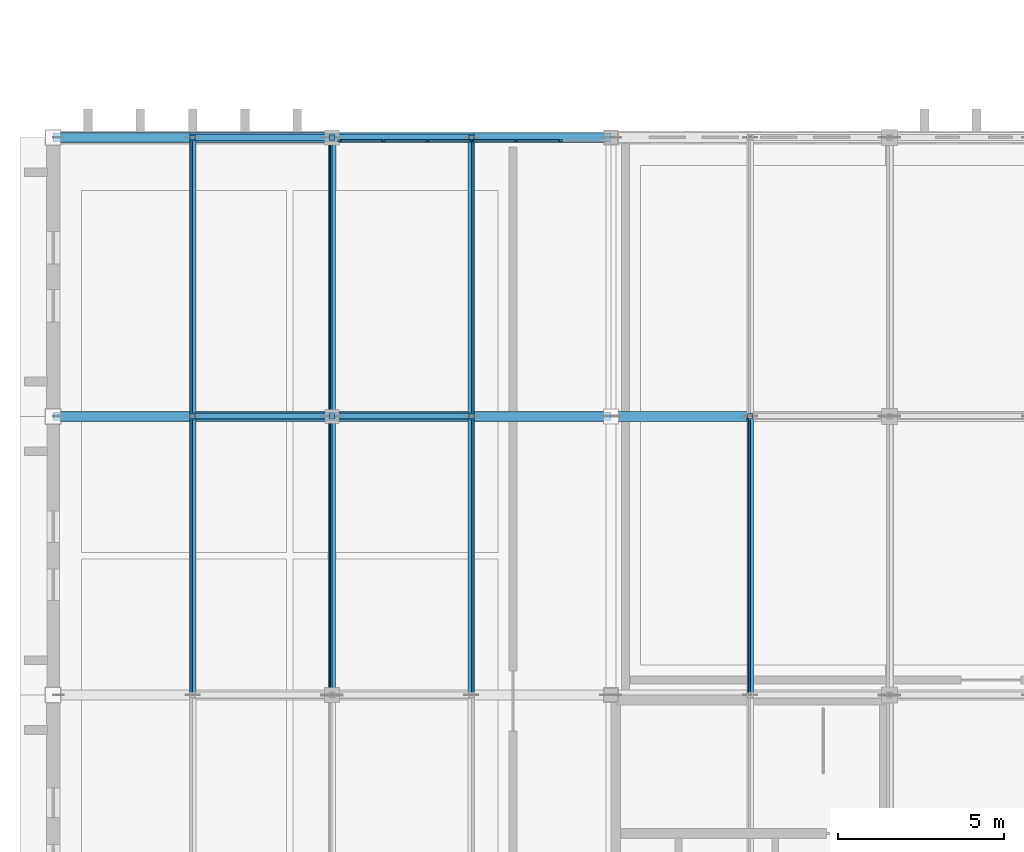
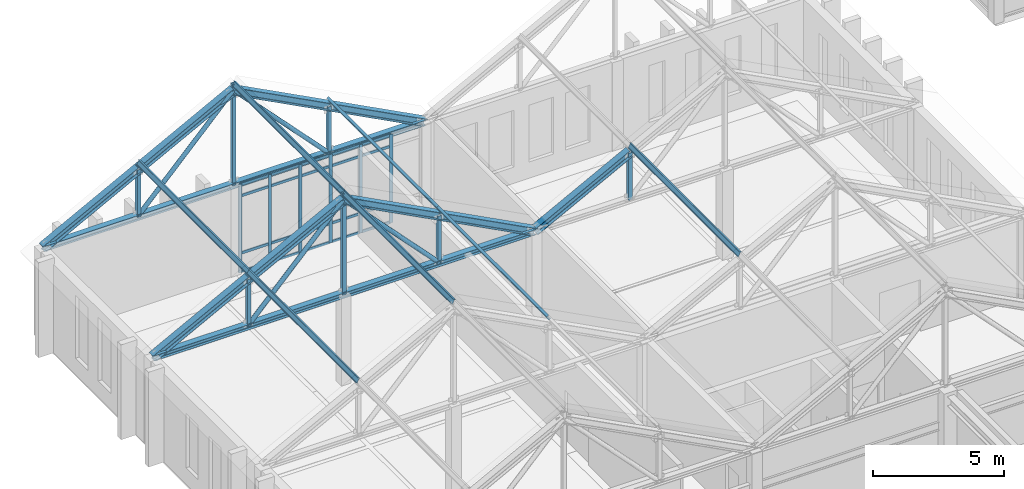
# One storey, part 83 of 192: 55 members, 1 element without a shape of its own.
"""IFC4 building model written with IfcOpenShell, lengths in metres."""

from ifc_helpers import new_model, si_unit, direction, frame, origin, origin_2d, place, context, subcontext, project, spatial, rectangle, hollow_rectangle, hollow_circle, i_section, extrude, material, layer, layer_set, material_profile, profile_set, type_object, element, aggregate, save


model = new_model("IFC4")

# Units and contexts
model_context = context("Model", 3, precision=1e-05, world=origin(), true_north=direction((0.0, 1.0)))
body_context = subcontext(model_context, "Body", "Model", "MODEL_VIEW")
ifc_project = project(units=[si_unit("LENGTHUNIT", "METRE"), si_unit("AREAUNIT", "SQUARE_METRE"), si_unit("VOLUMEUNIT", "CUBIC_METRE"), si_unit("PLANEANGLEUNIT", "RADIAN"), si_unit("MASSUNIT", "GRAM", prefix="KILO")], contexts=[model_context])

# Site, building, storey
site_placement = place(None, origin())
site = spatial("IfcSite", under=ifc_project, at=site_placement, CompositionType="ELEMENT")
building_placement = place(site_placement, origin())
building = spatial("IfcBuilding", under=site, at=building_placement, Name="Kveldsbrygga Polytechnic", CompositionType="ELEMENT")
storey_placement = place(building_placement, frame((0.0, 0.0, 5.43994140625)))
storey = spatial("IfcBuildingStorey", under=building, at=storey_placement, Name="L01", CompositionType="ELEMENT", Elevation=5.43994140625)

# Curtain wall, members
ifc_material_1 = material(Name="Anodised aluminium AW-6060", Category="aluminium")
ifc_layer = layer(ifc_material_1, 0.179931640625)
ifc_layer_set = layer_set([ifc_layer], Name="Anodised aluminium AW-6060")
curtain_wall_type = type_object("IfcCurtainWallType", Name="CW-CONC-A", PredefinedType="USERDEFINED", material=ifc_layer_set)
curtain_wall_placement = place(storey_placement, origin())
curtain_wall = element("IfcCurtainWall", 1, at=curtain_wall_placement, inside=storey, type_object=curtain_wall_type, Name="Curtain Wall CW-L01-X-01-13", ObjectType="UNITISED CURTAIN WALL", PredefinedType="USERDEFINED")
ifc_material_profile_1 = material_profile(ifc_material_1, rectangle(XDim=0.06005859375, YDim=0.139892578125, at=origin_2d()), Name="ALU 60x140")
ifc_profile_set_1 = profile_set([ifc_material_profile_1], Name="Anodised aluminium AW-6060")
member_type_1 = type_object("IfcMemberType", Name="CW-MUL-140", PredefinedType="MULLION", material=ifc_profile_set_1)
member_1_placement = place(storey_placement, frame((8.639892578125, 109.10009765625, 0.0), z_axis=(0.0, 0.0, 1.0), x_axis=(0.0, 1.0, 0.0)))
member_1 = element("IfcMember", 2, at=member_1_placement, type_object=member_type_1, Name="CW-01 mullion 1", PredefinedType="MULLION", context=body_context, shape_type="SweptSolid", body=[
    extrude(rectangle(XDim=0.06005859375, YDim=0.139892578125, at=origin_2d()), origin(), (0.0, 0.0, 1.0), 4.1201171875),
])
member_2_placement = place(storey_placement, frame((9.944091796875, 109.10009765625, 0.0), z_axis=(0.0, 0.0, 1.0), x_axis=(0.0, 1.0, 0.0)))
member_2 = element("IfcMember", 3, at=member_2_placement, type_object=member_type_1, Name="CW-01 mullion 2", PredefinedType="MULLION", context=body_context, shape_type="SweptSolid", body=[
    extrude(rectangle(XDim=0.06005859375, YDim=0.139892578125, at=origin_2d()), origin(), (0.0, 0.0, 1.0), 4.1201171875),
])
member_3_placement = place(storey_placement, frame((11.2783203125, 109.10009765625, 0.0), z_axis=(0.0, 0.0, 1.0), x_axis=(0.0, 1.0, 0.0)))
member_3 = element("IfcMember", 4, at=member_3_placement, type_object=member_type_1, Name="CW-01 mullion 3", PredefinedType="MULLION", context=body_context, shape_type="SweptSolid", body=[
    extrude(rectangle(XDim=0.06005859375, YDim=0.139892578125, at=origin_2d()), origin(), (0.0, 0.0, 1.0), 4.1201171875),
])
member_4_placement = place(storey_placement, frame((12.612548828125, 109.10009765625, 0.0), z_axis=(0.0, 0.0, 1.0), x_axis=(0.0, 1.0, 0.0)))
member_4 = element("IfcMember", 5, at=member_4_placement, type_object=member_type_1, Name="CW-01 mullion 4", PredefinedType="MULLION", context=body_context, shape_type="SweptSolid", body=[
    extrude(rectangle(XDim=0.06005859375, YDim=0.139892578125, at=origin_2d()), origin(), (0.0, 0.0, 1.0), 4.1201171875),
])
member_5_placement = place(storey_placement, frame((13.94677734375, 109.10009765625, 0.0), z_axis=(0.0, 0.0, 1.0), x_axis=(0.0, 1.0, 0.0)))
member_5 = element("IfcMember", 6, at=member_5_placement, type_object=member_type_1, Name="CW-01 mullion 5", PredefinedType="MULLION", context=body_context, shape_type="SweptSolid", body=[
    extrude(rectangle(XDim=0.06005859375, YDim=0.139892578125, at=origin_2d()), origin(), (0.0, 0.0, 1.0), 4.1201171875),
])
member_6_placement = place(storey_placement, frame((15.28076171875, 109.10009765625, 0.0), z_axis=(0.0, 0.0, 1.0), x_axis=(0.0, 1.0, 0.0)))
member_6 = element("IfcMember", 7, at=member_6_placement, type_object=member_type_1, Name="CW-01 mullion 6", PredefinedType="MULLION", context=body_context, shape_type="SweptSolid", body=[
    extrude(rectangle(XDim=0.06005859375, YDim=0.139892578125, at=origin_2d()), origin(), (0.0, 0.0, 1.0), 4.1201171875),
])
ifc_material_profile_2 = material_profile(ifc_material_1, rectangle(XDim=0.06005859375, YDim=0.1201171875, at=origin_2d()), Name="ALU 60x120")
ifc_profile_set_2 = profile_set([ifc_material_profile_2], Name="Anodised aluminium AW-6060")
member_type_2 = type_object("IfcMemberType", Name="CW-TRN-120", PredefinedType="USERDEFINED", material=ifc_profile_set_2)
member_7_placement = place(storey_placement, frame((8.669921875, 109.10009765625, 0.030029296875), z_axis=(1.0, 0.0, 0.0), x_axis=(0.0, 1.0, 0.0)))
member_7 = element("IfcMember", 8, at=member_7_placement, type_object=member_type_2, Name="CW-01 transom 1.1", ObjectType="TRANSOM", PredefinedType="USERDEFINED", context=body_context, shape_type="SweptSolid", body=[
    extrude(rectangle(XDim=0.06005859375, YDim=0.1201171875, at=origin_2d()), origin(), (0.0, 0.0, 1.0), 1.244140625),
])
member_8_placement = place(storey_placement, frame((8.669921875, 109.10009765625, 0.900146484375), z_axis=(1.0, 0.0, 0.0), x_axis=(0.0, 1.0, 0.0)))
member_8 = element("IfcMember", 9, at=member_8_placement, type_object=member_type_2, Name="CW-01 transom 1.2", ObjectType="TRANSOM", PredefinedType="USERDEFINED", context=body_context, shape_type="SweptSolid", body=[
    extrude(rectangle(XDim=0.06005859375, YDim=0.1201171875, at=origin_2d()), origin(), (0.0, 0.0, 1.0), 1.244140625),
])
member_9_placement = place(storey_placement, frame((8.669921875, 109.10009765625, 3.570068359375), z_axis=(1.0, 0.0, 0.0), x_axis=(0.0, 1.0, 0.0)))
member_9 = element("IfcMember", 10, at=member_9_placement, type_object=member_type_2, Name="CW-01 transom 1.3", ObjectType="TRANSOM", PredefinedType="USERDEFINED", context=body_context, shape_type="SweptSolid", body=[
    extrude(rectangle(XDim=0.06005859375, YDim=0.1201171875, at=origin_2d()), origin(), (0.0, 0.0, 1.0), 1.244140625),
])
member_10_placement = place(storey_placement, frame((8.669921875, 109.10009765625, 4.090087890625), z_axis=(1.0, 0.0, 0.0), x_axis=(0.0, 1.0, 0.0)))
member_10 = element("IfcMember", 11, at=member_10_placement, type_object=member_type_2, Name="CW-01 transom 1.4", ObjectType="TRANSOM", PredefinedType="USERDEFINED", context=body_context, shape_type="SweptSolid", body=[
    extrude(rectangle(XDim=0.06005859375, YDim=0.1201171875, at=origin_2d()), origin(), (0.0, 0.0, 1.0), 1.244140625),
])
member_11_placement = place(storey_placement, frame((9.97412109375, 109.10009765625, 0.030029296875), z_axis=(1.0, 0.0, 0.0), x_axis=(0.0, 1.0, 0.0)))
member_11 = element("IfcMember", 12, at=member_11_placement, type_object=member_type_2, Name="CW-01 transom 2.1", ObjectType="TRANSOM", PredefinedType="USERDEFINED", context=body_context, shape_type="SweptSolid", body=[
    extrude(rectangle(XDim=0.06005859375, YDim=0.1201171875, at=origin_2d()), origin(), (0.0, 0.0, 1.0), 1.274169921875),
])
member_12_placement = place(storey_placement, frame((9.97412109375, 109.10009765625, 0.900146484375), z_axis=(1.0, 0.0, 0.0), x_axis=(0.0, 1.0, 0.0)))
member_12 = element("IfcMember", 13, at=member_12_placement, type_object=member_type_2, Name="CW-01 transom 2.2", ObjectType="TRANSOM", PredefinedType="USERDEFINED", context=body_context, shape_type="SweptSolid", body=[
    extrude(rectangle(XDim=0.06005859375, YDim=0.1201171875, at=origin_2d()), origin(), (0.0, 0.0, 1.0), 1.274169921875),
])
member_13_placement = place(storey_placement, frame((9.97412109375, 109.10009765625, 3.570068359375), z_axis=(1.0, 0.0, 0.0), x_axis=(0.0, 1.0, 0.0)))
member_13 = element("IfcMember", 14, at=member_13_placement, type_object=member_type_2, Name="CW-01 transom 2.3", ObjectType="TRANSOM", PredefinedType="USERDEFINED", context=body_context, shape_type="SweptSolid", body=[
    extrude(rectangle(XDim=0.06005859375, YDim=0.1201171875, at=origin_2d()), origin(), (0.0, 0.0, 1.0), 1.274169921875),
])
member_14_placement = place(storey_placement, frame((9.97412109375, 109.10009765625, 4.090087890625), z_axis=(1.0, 0.0, 0.0), x_axis=(0.0, 1.0, 0.0)))
member_14 = element("IfcMember", 15, at=member_14_placement, type_object=member_type_2, Name="CW-01 transom 2.4", ObjectType="TRANSOM", PredefinedType="USERDEFINED", context=body_context, shape_type="SweptSolid", body=[
    extrude(rectangle(XDim=0.06005859375, YDim=0.1201171875, at=origin_2d()), origin(), (0.0, 0.0, 1.0), 1.274169921875),
])
member_15_placement = place(storey_placement, frame((11.308349609375, 109.10009765625, 0.030029296875), z_axis=(1.0, 0.0, 0.0), x_axis=(0.0, 1.0, 0.0)))
member_15 = element("IfcMember", 16, at=member_15_placement, type_object=member_type_2, Name="CW-01 transom 3.1", ObjectType="TRANSOM", PredefinedType="USERDEFINED", context=body_context, shape_type="SweptSolid", body=[
    extrude(rectangle(XDim=0.06005859375, YDim=0.1201171875, at=origin_2d()), origin(), (0.0, 0.0, 1.0), 1.274169921875),
])
member_16_placement = place(storey_placement, frame((11.308349609375, 109.10009765625, 0.900146484375), z_axis=(1.0, 0.0, 0.0), x_axis=(0.0, 1.0, 0.0)))
member_16 = element("IfcMember", 17, at=member_16_placement, type_object=member_type_2, Name="CW-01 transom 3.2", ObjectType="TRANSOM", PredefinedType="USERDEFINED", context=body_context, shape_type="SweptSolid", body=[
    extrude(rectangle(XDim=0.06005859375, YDim=0.1201171875, at=origin_2d()), origin(), (0.0, 0.0, 1.0), 1.274169921875),
])
member_17_placement = place(storey_placement, frame((11.308349609375, 109.10009765625, 3.570068359375), z_axis=(1.0, 0.0, 0.0), x_axis=(0.0, 1.0, 0.0)))
member_17 = element("IfcMember", 18, at=member_17_placement, type_object=member_type_2, Name="CW-01 transom 3.3", ObjectType="TRANSOM", PredefinedType="USERDEFINED", context=body_context, shape_type="SweptSolid", body=[
    extrude(rectangle(XDim=0.06005859375, YDim=0.1201171875, at=origin_2d()), origin(), (0.0, 0.0, 1.0), 1.274169921875),
])
member_18_placement = place(storey_placement, frame((11.308349609375, 109.10009765625, 4.090087890625), z_axis=(1.0, 0.0, 0.0), x_axis=(0.0, 1.0, 0.0)))
member_18 = element("IfcMember", 19, at=member_18_placement, type_object=member_type_2, Name="CW-01 transom 3.4", ObjectType="TRANSOM", PredefinedType="USERDEFINED", context=body_context, shape_type="SweptSolid", body=[
    extrude(rectangle(XDim=0.06005859375, YDim=0.1201171875, at=origin_2d()), origin(), (0.0, 0.0, 1.0), 1.274169921875),
])
member_19_placement = place(storey_placement, frame((12.642578125, 109.10009765625, 0.030029296875), z_axis=(1.0, 0.0, 0.0), x_axis=(0.0, 1.0, 0.0)))
member_19 = element("IfcMember", 20, at=member_19_placement, type_object=member_type_2, Name="CW-01 transom 4.1", ObjectType="TRANSOM", PredefinedType="USERDEFINED", context=body_context, shape_type="SweptSolid", body=[
    extrude(rectangle(XDim=0.06005859375, YDim=0.1201171875, at=origin_2d()), origin(), (0.0, 0.0, 1.0), 1.274169921875),
])
member_20_placement = place(storey_placement, frame((12.642578125, 109.10009765625, 0.900146484375), z_axis=(1.0, 0.0, 0.0), x_axis=(0.0, 1.0, 0.0)))
member_20 = element("IfcMember", 21, at=member_20_placement, type_object=member_type_2, Name="CW-01 transom 4.2", ObjectType="TRANSOM", PredefinedType="USERDEFINED", context=body_context, shape_type="SweptSolid", body=[
    extrude(rectangle(XDim=0.06005859375, YDim=0.1201171875, at=origin_2d()), origin(), (0.0, 0.0, 1.0), 1.274169921875),
])
member_21_placement = place(storey_placement, frame((12.642578125, 109.10009765625, 3.570068359375), z_axis=(1.0, 0.0, 0.0), x_axis=(0.0, 1.0, 0.0)))
member_21 = element("IfcMember", 22, at=member_21_placement, type_object=member_type_2, Name="CW-01 transom 4.3", ObjectType="TRANSOM", PredefinedType="USERDEFINED", context=body_context, shape_type="SweptSolid", body=[
    extrude(rectangle(XDim=0.06005859375, YDim=0.1201171875, at=origin_2d()), origin(), (0.0, 0.0, 1.0), 1.274169921875),
])
member_22_placement = place(storey_placement, frame((12.642578125, 109.10009765625, 4.090087890625), z_axis=(1.0, 0.0, 0.0), x_axis=(0.0, 1.0, 0.0)))
member_22 = element("IfcMember", 23, at=member_22_placement, type_object=member_type_2, Name="CW-01 transom 4.4", ObjectType="TRANSOM", PredefinedType="USERDEFINED", context=body_context, shape_type="SweptSolid", body=[
    extrude(rectangle(XDim=0.06005859375, YDim=0.1201171875, at=origin_2d()), origin(), (0.0, 0.0, 1.0), 1.274169921875),
])
member_23_placement = place(storey_placement, frame((13.9765625, 109.10009765625, 0.030029296875), z_axis=(1.0, 0.0, 0.0), x_axis=(0.0, 1.0, 0.0)))
member_23 = element("IfcMember", 24, at=member_23_placement, type_object=member_type_2, Name="CW-01 transom 5.1", ObjectType="TRANSOM", PredefinedType="USERDEFINED", context=body_context, shape_type="SweptSolid", body=[
    extrude(rectangle(XDim=0.06005859375, YDim=0.1201171875, at=origin_2d()), origin(), (0.0, 0.0, 1.0), 1.274169921875),
])
member_24_placement = place(storey_placement, frame((13.9765625, 109.10009765625, 0.900146484375), z_axis=(1.0, 0.0, 0.0), x_axis=(0.0, 1.0, 0.0)))
member_24 = element("IfcMember", 25, at=member_24_placement, type_object=member_type_2, Name="CW-01 transom 5.2", ObjectType="TRANSOM", PredefinedType="USERDEFINED", context=body_context, shape_type="SweptSolid", body=[
    extrude(rectangle(XDim=0.06005859375, YDim=0.1201171875, at=origin_2d()), origin(), (0.0, 0.0, 1.0), 1.274169921875),
])
member_25_placement = place(storey_placement, frame((13.9765625, 109.10009765625, 3.570068359375), z_axis=(1.0, 0.0, 0.0), x_axis=(0.0, 1.0, 0.0)))
member_25 = element("IfcMember", 26, at=member_25_placement, type_object=member_type_2, Name="CW-01 transom 5.3", ObjectType="TRANSOM", PredefinedType="USERDEFINED", context=body_context, shape_type="SweptSolid", body=[
    extrude(rectangle(XDim=0.06005859375, YDim=0.1201171875, at=origin_2d()), origin(), (0.0, 0.0, 1.0), 1.274169921875),
])
member_26_placement = place(storey_placement, frame((13.9765625, 109.10009765625, 4.090087890625), z_axis=(1.0, 0.0, 0.0), x_axis=(0.0, 1.0, 0.0)))
member_26 = element("IfcMember", 27, at=member_26_placement, type_object=member_type_2, Name="CW-01 transom 5.4", ObjectType="TRANSOM", PredefinedType="USERDEFINED", context=body_context, shape_type="SweptSolid", body=[
    extrude(rectangle(XDim=0.06005859375, YDim=0.1201171875, at=origin_2d()), origin(), (0.0, 0.0, 1.0), 1.274169921875),
])
aggregate(curtain_wall, [member_1, member_2, member_3, member_4, member_5, member_6, member_7, member_8, member_9, member_10, member_11, member_12, member_13, member_14, member_15, member_16, member_17, member_18, member_19, member_20, member_21, member_22, member_23, member_24, member_25, member_26])

# Members
ifc_material_2 = material(Name="Steel S355", Category="steel")
ifc_material_profile_3 = material_profile(ifc_material_2, i_section(OverallWidth=0.110107421875, OverallDepth=0.219970703125, WebThickness=0.005859375, FlangeThickness=0.00927734375, FilletRadius=0.011962890625, at=origin_2d()), Name="IPE 220")
ifc_profile_set_3 = profile_set([ifc_material_profile_3], Name="Steel S355")
member_type_3 = type_object("IfcMemberType", Name="PRL-IPE220", PredefinedType="PURLIN", material=ifc_profile_set_3)
for number, where, z_axis, x_axis, name in (
    (28, (4.199951171875, 92.39990234375, 6.630615234375), (0.0, 1.0, 0.0), (-0.885831335765, 0.0, 0.464007375564), "Roof Purlin V1N1-PRL-2-1"),
    (29, (8.39990234375, 92.39990234375, 8.83056640625), (0.0, 1.0, 0.0), (-0.885831335765, 0.0, 0.464007375564), "Roof Purlin V1N1-PRL-2-2"),
    (30, (12.60009765625, 92.39990234375, 6.630615234375), (0.0, 1.0, 0.0), (-0.885831335765, 0.0, -0.464007375564), "Roof Purlin V1N1-PRL-2-3"),
):
    element("IfcMember", number, at=place(storey_placement, frame(where, z_axis=z_axis, x_axis=x_axis)), inside=storey, type_object=member_type_3, Name=name, PredefinedType="PURLIN", context=body_context, shape_type="SweptSolid", body=[
        extrude(i_section(OverallWidth=0.110107421875, OverallDepth=0.219970703125, WebThickness=0.005859375, FlangeThickness=0.00927734375, FilletRadius=0.011962890625, at=origin_2d()), origin(), (0.0, 0.0, 1.0), 8.400146484375),
    ])
for number, where, z_axis, x_axis, name in (
    (31, (4.199951171875, 100.800048828125, 6.630615234375), (0.0, 1.0, 0.0), (-0.885831335765, 0.0, 0.464007375564), "Roof Purlin V1N1-PRL-3-1"),
    (32, (8.39990234375, 100.800048828125, 8.83056640625), (0.0, 1.0, 0.0), (-0.885831335765, 0.0, 0.464007375564), "Roof Purlin V1N1-PRL-3-2"),
    (33, (12.60009765625, 100.800048828125, 6.630615234375), (0.0, 1.0, 0.0), (-0.885831335765, 0.0, -0.464007375564), "Roof Purlin V1N1-PRL-3-3"),
):
    element("IfcMember", number, at=place(storey_placement, frame(where, z_axis=z_axis, x_axis=x_axis)), inside=storey, type_object=member_type_3, Name=name, PredefinedType="PURLIN", context=body_context, shape_type="SweptSolid", body=[
        extrude(i_section(OverallWidth=0.110107421875, OverallDepth=0.219970703125, WebThickness=0.005859375, FlangeThickness=0.00927734375, FilletRadius=0.011962890625, at=origin_2d()), origin(), (0.0, 0.0, 1.0), 8.39990234375),
    ])
member_27_placement = place(storey_placement, frame((21.0, 92.39990234375, 6.630615234375), z_axis=(0.0, 1.0, 0.0), x_axis=(-0.885831335765, 0.0, 0.464007375564)))
element("IfcMember", 34, at=member_27_placement, inside=storey, type_object=member_type_3, Name="Roof Purlin V1N2-PRL-2-1", PredefinedType="PURLIN", context=body_context, shape_type="SweptSolid", body=[
    extrude(i_section(OverallWidth=0.110107421875, OverallDepth=0.219970703125, WebThickness=0.005859375, FlangeThickness=0.00927734375, FilletRadius=0.011962890625, at=origin_2d()), origin(), (0.0, 0.0, 1.0), 8.400146484375),
])
ifc_material_profile_4 = material_profile(ifc_material_2, i_section(OverallWidth=0.260009765625, OverallDepth=0.25, WebThickness=0.007568359375, FlangeThickness=0.012451171875, FilletRadius=0.02392578125, at=origin_2d()), Name="HEA 260")
ifc_profile_set_4 = profile_set([ifc_material_profile_4], Name="Steel S355")
member_type_4 = type_object("IfcMemberType", Name="TR-BOT-HEA260", PredefinedType="CHORD", material=ifc_profile_set_4)
for number, where, z_axis, x_axis, name in (
    (35, (0.0, 100.800048828125, 4.1201171875), (1.0, 0.0, 0.0), (0.0, 1.0, 0.0), "Truss Bottom Chord V1N1-T03-BC-1"),
    (36, (0.0, 109.199951171875, 4.1201171875), (1.0, 0.0, 0.0), (0.0, 1.0, 0.0), "Truss Bottom Chord V1N1-T04-BC-1"),
):
    element("IfcMember", number, at=place(storey_placement, frame(where, z_axis=z_axis, x_axis=x_axis)), inside=storey, type_object=member_type_4, Name=name, PredefinedType="CHORD", context=body_context, shape_type="SweptSolid", body=[
        extrude(i_section(OverallWidth=0.260009765625, OverallDepth=0.25, WebThickness=0.007568359375, FlangeThickness=0.012451171875, FilletRadius=0.02392578125, at=origin_2d()), origin(), (0.0, 0.0, 1.0), 16.800048828125),
    ])
ifc_material_profile_5 = material_profile(ifc_material_2, hollow_circle(Radius=0.096923828125, WallThickness=0.010009765625, at=origin_2d()), Name="CHS 193.7x10.0")
ifc_profile_set_5 = profile_set([ifc_material_profile_5], Name="Steel S355")
member_type_5 = type_object("IfcMemberType", Name="TR-DIAG-CHS194", PredefinedType="BRACE", material=ifc_profile_set_5)
for number, where, z_axis, x_axis, name in (
    (37, (4.199951171875, 100.800048828125, 4.1201171875), (0.690479565127, 0.0, 0.723351899245), (0.0, 1.0, 0.0), "Truss Diagonal V1N1-T03-DG-2"),
    (38, (8.39990234375, 100.800048828125, 8.52001953125), (0.69050056554, 0.0, -0.723331852602), (0.0, 1.0, 0.0), "Truss Diagonal V1N1-T03-DG-3"),
    (39, (4.199951171875, 109.199951171875, 4.1201171875), (0.690479565127, 0.0, 0.723351899245), (0.0, 1.0, 0.0), "Truss Diagonal V1N1-T04-DG-2"),
    (40, (8.39990234375, 109.199951171875, 8.52001953125), (0.69050056554, 0.0, -0.723331852602), (0.0, 1.0, 0.0), "Truss Diagonal V1N1-T04-DG-3"),
):
    element("IfcMember", number, at=place(storey_placement, frame(where, z_axis=z_axis, x_axis=x_axis)), inside=storey, type_object=member_type_5, Name=name, PredefinedType="BRACE", context=body_context, shape_type="SweptSolid", body=[
        extrude(hollow_circle(Radius=0.096923828125, WallThickness=0.010009765625, at=origin_2d()), origin(), (0.0, 0.0, 1.0), 6.082763671875),
    ])
ifc_material_profile_6 = material_profile(ifc_material_2, hollow_rectangle(XDim=0.159912109375, YDim=0.159912109375, WallThickness=0.010009765625, at=origin_2d()), Name="SHS 160x160x10.0")
ifc_profile_set_6 = profile_set([ifc_material_profile_6], Name="Steel S355")
member_type_6 = type_object("IfcMemberType", Name="TR-POST-SHS160", PredefinedType="STRUT", material=ifc_profile_set_6)
member_28_placement = place(storey_placement, frame((4.199951171875, 100.800048828125, 4.1201171875), z_axis=(0.0, 0.0, 1.0), x_axis=(1.0, 0.0, 0.0)))
element("IfcMember", 41, at=member_28_placement, inside=storey, type_object=member_type_6, Name="Truss Vertical V1N1-T03-VT-1", PredefinedType="STRUT", context=body_context, shape_type="SweptSolid", body=[
    extrude(hollow_rectangle(XDim=0.159912109375, YDim=0.159912109375, WallThickness=0.010009765625, at=origin_2d()), origin(), (0.0, 0.0, 1.0), 2.199951171875),
])
member_29_placement = place(storey_placement, frame((8.39990234375, 100.800048828125, 4.1201171875), z_axis=(0.0, 0.0, 1.0), x_axis=(1.0, 0.0, 0.0)))
element("IfcMember", 42, at=member_29_placement, inside=storey, type_object=member_type_6, Name="Truss Vertical V1N1-T03-VT-2", PredefinedType="STRUT", context=body_context, shape_type="SweptSolid", body=[
    extrude(hollow_rectangle(XDim=0.159912109375, YDim=0.159912109375, WallThickness=0.010009765625, at=origin_2d()), origin(), (0.0, 0.0, 1.0), 4.71044921875),
])
for number, where, z_axis, x_axis, name in (
    (43, (12.60009765625, 100.800048828125, 4.1201171875), (0.0, 0.0, 1.0), (1.0, 0.0, 0.0), "Truss Vertical V1N1-T03-VT-3"),
    (44, (4.199951171875, 109.199951171875, 4.1201171875), (0.0, 0.0, 1.0), (1.0, 0.0, 0.0), "Truss Vertical V1N1-T04-VT-1"),
):
    element("IfcMember", number, at=place(storey_placement, frame(where, z_axis=z_axis, x_axis=x_axis)), inside=storey, type_object=member_type_6, Name=name, PredefinedType="STRUT", context=body_context, shape_type="SweptSolid", body=[
        extrude(hollow_rectangle(XDim=0.159912109375, YDim=0.159912109375, WallThickness=0.010009765625, at=origin_2d()), origin(), (0.0, 0.0, 1.0), 2.199951171875),
    ])
member_30_placement = place(storey_placement, frame((8.39990234375, 109.199951171875, 4.1201171875), z_axis=(0.0, 0.0, 1.0), x_axis=(1.0, 0.0, 0.0)))
element("IfcMember", 45, at=member_30_placement, inside=storey, type_object=member_type_6, Name="Truss Vertical V1N1-T04-VT-2", PredefinedType="STRUT", context=body_context, shape_type="SweptSolid", body=[
    extrude(hollow_rectangle(XDim=0.159912109375, YDim=0.159912109375, WallThickness=0.010009765625, at=origin_2d()), origin(), (0.0, 0.0, 1.0), 4.71044921875),
])
for number, where, z_axis, x_axis, name in (
    (46, (12.60009765625, 109.199951171875, 4.1201171875), (0.0, 0.0, 1.0), (1.0, 0.0, 0.0), "Truss Vertical V1N1-T04-VT-3"),
    (47, (21.0, 100.800048828125, 4.1201171875), (0.0, 0.0, 1.0), (1.0, 0.0, 0.0), "Truss Vertical V1N2-T03-VT-1"),
):
    element("IfcMember", number, at=place(storey_placement, frame(where, z_axis=z_axis, x_axis=x_axis)), inside=storey, type_object=member_type_6, Name=name, PredefinedType="STRUT", context=body_context, shape_type="SweptSolid", body=[
        extrude(hollow_rectangle(XDim=0.159912109375, YDim=0.159912109375, WallThickness=0.010009765625, at=origin_2d()), origin(), (0.0, 0.0, 1.0), 2.199951171875),
    ])
ifc_material_profile_7 = material_profile(ifc_material_2, i_section(OverallWidth=0.300048828125, OverallDepth=0.330078125, WebThickness=0.009521484375, FlangeThickness=0.0166015625, FilletRadius=0.027099609375, at=origin_2d()), Name="HEA 340")
ifc_profile_set_7 = profile_set([ifc_material_profile_7], Name="Steel S355")
member_type_7 = type_object("IfcMemberType", Name="TR-TOP-HEA340", PredefinedType="CHORD", material=ifc_profile_set_7)
for number, where, z_axis, x_axis, name in (
    (48, (0.0, 100.800048828125, 4.1201171875), (0.885833551011, 0.0, 0.464003146437), (0.0, 1.0, 0.0), "Truss Top Chord V1N1-T03-TC-1"),
    (49, (4.199951171875, 100.800048828125, 6.320068359375), (0.885833551011, 0.0, 0.464003146437), (0.0, 1.0, 0.0), "Truss Top Chord V1N1-T03-TC-2"),
):
    element("IfcMember", number, at=place(storey_placement, frame(where, z_axis=z_axis, x_axis=x_axis)), inside=storey, type_object=member_type_7, Name=name, PredefinedType="CHORD", context=body_context, shape_type="SweptSolid", body=[
        extrude(i_section(OverallWidth=0.300048828125, OverallDepth=0.330078125, WebThickness=0.009521484375, FlangeThickness=0.0166015625, FilletRadius=0.027099609375, at=origin_2d()), origin(), (0.0, 0.0, 1.0), 4.7412109375),
    ])
member_31_placement = place(storey_placement, frame((8.39990234375, 100.800048828125, 8.52001953125), z_axis=(0.885844636633, 0.0, -0.463981982138), x_axis=(0.0, 1.0, 0.0)))
element("IfcMember", 50, at=member_31_placement, inside=storey, type_object=member_type_7, Name="Truss Top Chord V1N1-T03-TC-3", PredefinedType="CHORD", context=body_context, shape_type="SweptSolid", body=[
    extrude(i_section(OverallWidth=0.300048828125, OverallDepth=0.330078125, WebThickness=0.009521484375, FlangeThickness=0.0166015625, FilletRadius=0.027099609375, at=origin_2d()), origin(), (0.0, 0.0, 1.0), 4.741455078125),
])
for number, where, z_axis, x_axis, name in (
    (51, (12.60009765625, 100.800048828125, 6.320068359375), (0.885833551011, 0.0, -0.464003146437), (0.0, 1.0, 0.0), "Truss Top Chord V1N1-T03-TC-4"),
    (52, (0.0, 109.199951171875, 4.1201171875), (0.885833551011, 0.0, 0.464003146437), (0.0, 1.0, 0.0), "Truss Top Chord V1N1-T04-TC-1"),
    (53, (4.199951171875, 109.199951171875, 6.320068359375), (0.885833551011, 0.0, 0.464003146437), (0.0, 1.0, 0.0), "Truss Top Chord V1N1-T04-TC-2"),
):
    element("IfcMember", number, at=place(storey_placement, frame(where, z_axis=z_axis, x_axis=x_axis)), inside=storey, type_object=member_type_7, Name=name, PredefinedType="CHORD", context=body_context, shape_type="SweptSolid", body=[
        extrude(i_section(OverallWidth=0.300048828125, OverallDepth=0.330078125, WebThickness=0.009521484375, FlangeThickness=0.0166015625, FilletRadius=0.027099609375, at=origin_2d()), origin(), (0.0, 0.0, 1.0), 4.7412109375),
    ])
member_32_placement = place(storey_placement, frame((8.39990234375, 109.199951171875, 8.52001953125), z_axis=(0.885844636633, 0.0, -0.463981982138), x_axis=(0.0, 1.0, 0.0)))
element("IfcMember", 54, at=member_32_placement, inside=storey, type_object=member_type_7, Name="Truss Top Chord V1N1-T04-TC-3", PredefinedType="CHORD", context=body_context, shape_type="SweptSolid", body=[
    extrude(i_section(OverallWidth=0.300048828125, OverallDepth=0.330078125, WebThickness=0.009521484375, FlangeThickness=0.0166015625, FilletRadius=0.027099609375, at=origin_2d()), origin(), (0.0, 0.0, 1.0), 4.741455078125),
])
for number, where, z_axis, x_axis, name in (
    (55, (12.60009765625, 109.199951171875, 6.320068359375), (0.885833551011, 0.0, -0.464003146437), (0.0, 1.0, 0.0), "Truss Top Chord V1N1-T04-TC-4"),
    (56, (16.800048828125, 100.800048828125, 4.1201171875), (0.885833551011, 0.0, 0.464003146437), (0.0, 1.0, 0.0), "Truss Top Chord V1N2-T03-TC-1"),
):
    element("IfcMember", number, at=place(storey_placement, frame(where, z_axis=z_axis, x_axis=x_axis)), inside=storey, type_object=member_type_7, Name=name, PredefinedType="CHORD", context=body_context, shape_type="SweptSolid", body=[
        extrude(i_section(OverallWidth=0.300048828125, OverallDepth=0.330078125, WebThickness=0.009521484375, FlangeThickness=0.0166015625, FilletRadius=0.027099609375, at=origin_2d()), origin(), (0.0, 0.0, 1.0), 4.7412109375),
    ])

save(model, "model.ifc")
